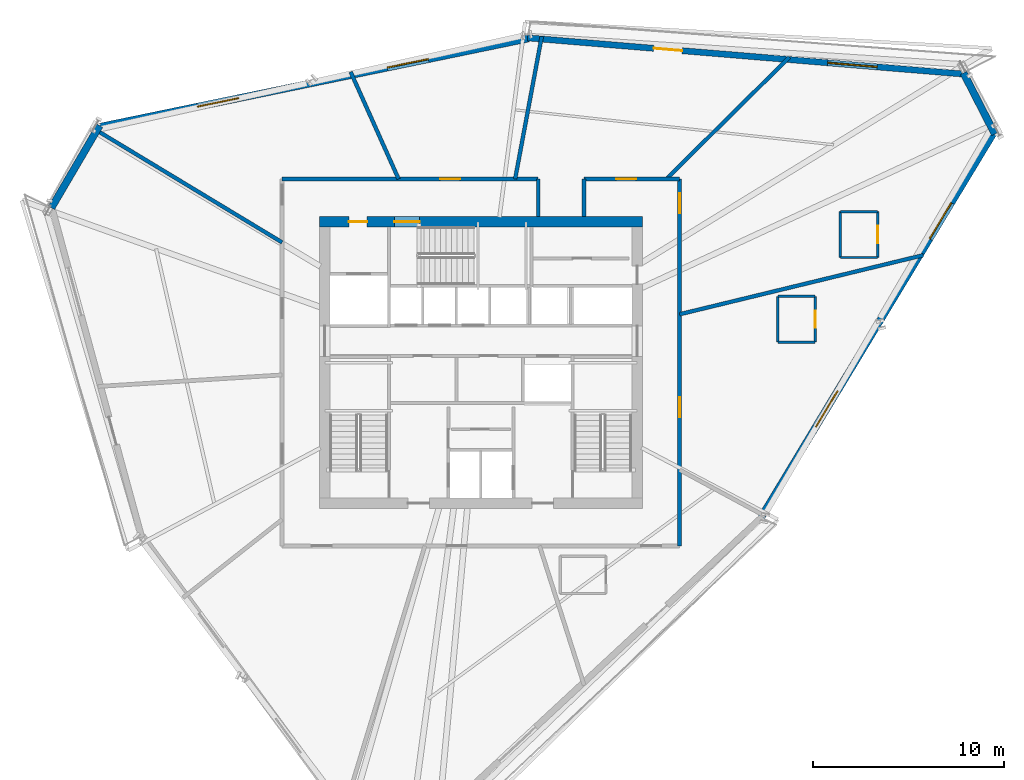
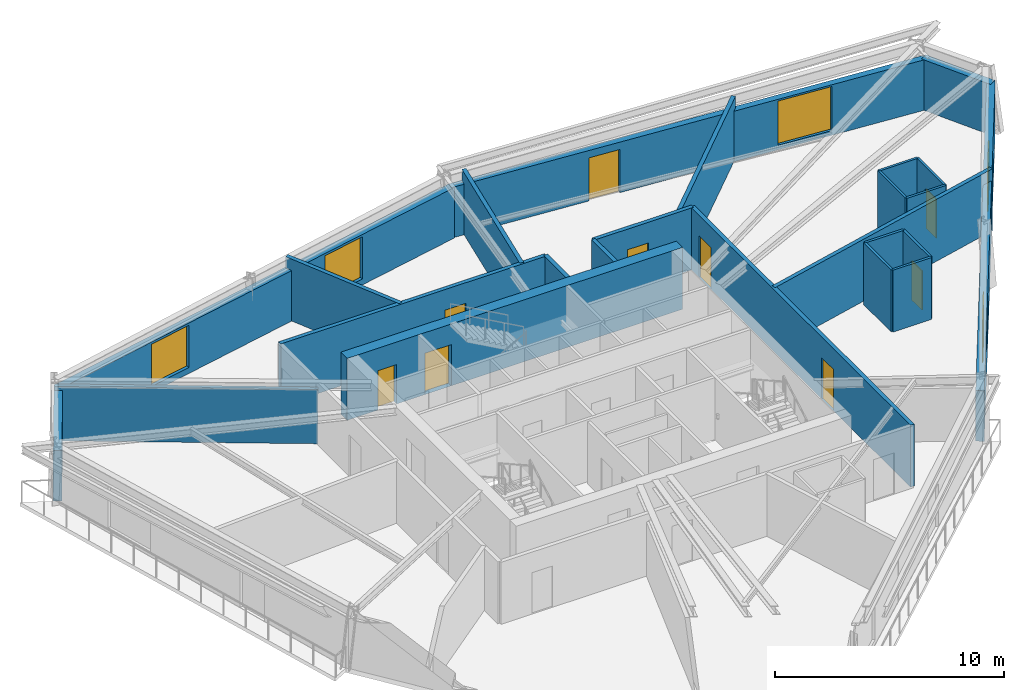
# One storey, part 11 of 15: 24 walls, 9 doors, 5 windows, 14 openings.
"""IFC4 building model written with IfcOpenShell, lengths in metres."""

from ifc_helpers import new_model, si_unit, direction, frame, frame_2d, origin, place, context, subcontext, project, spatial, rectangle, extrude, source, transform, mapped, material, layer, layer_set, type_object, type_shapes, element, fill, save


model = new_model("IFC4")

# Units and contexts
model_context = context("Model", 3, precision=1e-05, world=origin(), true_north=direction((0.0, 1.0)))
body_context = subcontext(model_context, "Body", "Model", "MODEL_VIEW")
ifc_project = project(units=[si_unit("LENGTHUNIT", "METRE"), si_unit("AREAUNIT", "SQUARE_METRE"), si_unit("VOLUMEUNIT", "CUBIC_METRE"), si_unit("PLANEANGLEUNIT", "RADIAN"), si_unit("MASSUNIT", "GRAM", prefix="KILO")], contexts=[model_context])

# Site, building, storey
site_placement = place(None, origin())
site = spatial("IfcSite", under=ifc_project, at=site_placement, CompositionType="ELEMENT")
building_placement = place(site_placement, origin())
building = spatial("IfcBuilding", under=site, at=building_placement, Name="Olszyna Solenne Hotel", CompositionType="ELEMENT")
storey_placement = place(building_placement, frame((0.0, 0.0, 146.60009765625)))
storey = spatial("IfcBuildingStorey", under=building, at=storey_placement, Name="L38", CompositionType="ELEMENT", Elevation=146.60009765625)

# Wall, openings, doors
ifc_material_1 = material(Name="Concrete C50/60", Category="concrete")
ifc_layer_1 = layer(ifc_material_1, 0.550048828125, Name="Concrete C50/60")
ifc_layer_set_1 = layer_set([ifc_layer_1], Name="Concrete C50/60")
wall_type_1 = type_object("IfcWallType", Name="WL-CR550", PredefinedType="SHEAR", material=ifc_layer_set_1)
wall_1_placement = place(storey_placement, frame((29.550048828125, 33.97509765625, 0.0), z_axis=(0.0, 0.0, 1.0), x_axis=(1.0, 0.0, 0.0)))
wall_1 = element("IfcWall", 1, at=wall_1_placement, inside=storey, type_object=wall_type_1, Name="Core shear wall WL-CR550 CRW-L38-N", PredefinedType="SHEAR", context=body_context, shape_type="SweptSolid", body=[
    extrude(rectangle(XDim=16.89990234375, YDim=0.550048828125, at=frame_2d((8.449951171875, 0.0))), origin(), (0.0, 0.0, 1.0), 3.2998046875),
])
opening_1_placement = place(wall_1_placement, frame((1.550048828125, 0.0, 0.0)))
opening_1 = element("IfcOpeningElement", 2, at=opening_1_placement, cuts=wall_1, Name="Opening SVD-L38-01", PredefinedType="OPENING", context=body_context, shape_type="SweptSolid", body=[
    extrude(rectangle(XDim=0.949951171875, YDim=2.10009765625, at=frame_2d((0.47509765625, 1.050048828125))), frame((0.0, 0.28515625, 0.0), z_axis=(0.0, -1.0, 0.0), x_axis=(1.0, 0.0, 0.0)), (0.0, 0.0, 1.0), 0.570068359375),
])
opening_2_placement = place(wall_1_placement, frame((3.929931640625, 0.0, 0.0)))
opening_2 = element("IfcOpeningElement", 3, at=opening_2_placement, cuts=wall_1, Name="Opening STD-L38-03", PredefinedType="OPENING", context=body_context, shape_type="SweptSolid", body=[
    extrude(rectangle(XDim=1.320068359375, YDim=2.199951171875, at=frame_2d((0.66015625, 1.10009765625))), frame((0.0, 0.28515625, 0.0), z_axis=(0.0, -1.0, 0.0), x_axis=(1.0, 0.0, 0.0)), (0.0, 0.0, 1.0), 0.570068359375),
])
ifc_material_2 = material(Name="Steel S355J2", Category="steel")
door_type_1 = type_object("IfcDoorType", Name="DR-ST1", OperationType="NOTDEFINED", PredefinedType="DOOR", material=ifc_material_2)
shared_shape_1 = source(origin(), body_context, "Body", "SweptSolid", [
    extrude(rectangle(XDim=1.320068359375, YDim=2.199951171875, at=frame_2d((0.66015625, 1.10009765625))), frame((0.0, 0.02490234375, 0.0), z_axis=(0.0, -1.0, 0.0), x_axis=(1.0, 0.0, 0.0)), (0.0, 0.0, 1.0), 0.050048828125),
])
type_shapes(door_type_1, [shared_shape_1])
door_1_placement = place(opening_2_placement, origin())
door_1 = element("IfcDoor", 4, at=door_1_placement, inside=storey, type_object=door_type_1, Name="Pressurised exit stair ST3 fire door STD-L38-03", OperationType="SINGLE_SWING_RIGHT", OverallHeight=2.199951171875, OverallWidth=1.320068359375, PredefinedType="DOOR", context=body_context, shape_type="MappedRepresentation", body=[
    mapped(shared_shape_1, transform((0.0, 0.0, 0.0), x_axis=(1.0, 0.0, 0.0), y_axis=(0.0, 1.0, 0.0), z_axis=(0.0, 0.0, 1.0), scale=1.0)),
])
fill(opening_2, door_1)
door_type_2 = type_object("IfcDoorType", Name="DR-SV1", OperationType="NOTDEFINED", PredefinedType="DOOR", material=ifc_material_2)
shared_shape_2 = source(origin(), body_context, "Body", "SweptSolid", [
    extrude(rectangle(XDim=0.949951171875, YDim=2.10009765625, at=frame_2d((0.47509765625, 1.050048828125))), frame((0.0, 0.02490234375, 0.0), z_axis=(0.0, -1.0, 0.0), x_axis=(1.0, 0.0, 0.0)), (0.0, 0.0, 1.0), 0.050048828125),
])
type_shapes(door_type_2, [shared_shape_2])
door_2_placement = place(opening_1_placement, origin())
door_2 = element("IfcDoor", 5, at=door_2_placement, inside=storey, type_object=door_type_2, Name="Service lift lobby fire door SVD-L38-01", OperationType="SINGLE_SWING_LEFT", OverallHeight=2.10009765625, OverallWidth=0.949951171875, PredefinedType="DOOR", context=body_context, shape_type="MappedRepresentation", body=[
    mapped(shared_shape_2, transform((0.0, 0.0, 0.0), x_axis=(1.0, 0.0, 0.0), y_axis=(0.0, 1.0, 0.0), z_axis=(0.0, 0.0, 1.0), scale=1.0)),
])
fill(opening_1, door_2)

# Wall, openings, door, window
ifc_material_3 = material(Name="Precast concrete C45/55", Category="concrete")
ifc_layer_2 = layer(ifc_material_3, 0.320068359375, Name="Precast concrete C45/55")
ifc_layer_set_2 = layer_set([ifc_layer_2], Name="Precast concrete C45/55")
wall_type_2 = type_object("IfcWallType", Name="WL-EX320", PredefinedType="SOLIDWALL", material=ifc_layer_set_2)
wall_2_placement = place(storey_placement, frame((40.443603515625, 43.5849609375, 0.0), z_axis=(0.0, 0.0, 1.0), x_axis=(0.996570046252, -0.08275350695, 0.0)))
wall_2 = element("IfcWall", 6, at=wall_2_placement, inside=storey, type_object=wall_type_2, Name="Exterior terracotta-precast frame wall WL-EX320 EW-L38-08", PredefinedType="SOLIDWALL", context=body_context, shape_type="SweptSolid", body=[
    extrude(rectangle(XDim=23.044189453125, YDim=0.320068359375, at=frame_2d((11.52197265625, 0.0))), origin(), (0.0, 0.0, 1.0), 2.69189453125),
])
opening_3_placement = place(wall_2_placement, frame((6.6240234375, 0.0, 0.0)))
opening_3 = element("IfcOpeningElement", 7, at=opening_3_placement, cuts=wall_2, Name="Opening LDG-L38-1", PredefinedType="OPENING", context=body_context, shape_type="SweptSolid", body=[
    extrude(rectangle(XDim=1.5, YDim=2.300048828125, at=frame_2d((0.75, 1.14990234375))), frame((0.0, 0.169921875, 0.0), z_axis=(0.0, -1.0, 0.0), x_axis=(1.0, 0.0, 0.0)), (0.0, 0.0, 1.0), 0.340087890625),
])
opening_4_placement = place(wall_2_placement, frame((15.7529296875, 0.0, 0.25)))
opening_4 = element("IfcOpeningElement", 8, at=opening_4_placement, cuts=wall_2, Name="Opening WN-L38-231", PredefinedType="OPENING", context=body_context, shape_type="SweptSolid", body=[
    extrude(rectangle(XDim=2.60009765625, YDim=2.35009765625, at=frame_2d((1.300048828125, 1.175048828125))), frame((0.0, 0.169921875, 0.0), z_axis=(0.0, -1.0, 0.0), x_axis=(1.0, 0.0, 0.0)), (0.0, 0.0, 1.0), 0.340087890625),
])
ifc_material_4 = material(Name="Anodised bronze aluminium", Category="aluminium")
door_type_3 = type_object("IfcDoorType", Name="DR-LG2", OperationType="DOUBLE_DOOR_SINGLE_SWING", PredefinedType="DOOR", material=ifc_material_4)
shared_shape_3 = source(origin(), body_context, "Body", "SweptSolid", [
    extrude(rectangle(XDim=1.5, YDim=2.300048828125, at=frame_2d((0.75, 1.14990234375))), frame((0.0, 0.02490234375, 0.0), z_axis=(0.0, -1.0, 0.0), x_axis=(1.0, 0.0, 0.0)), (0.0, 0.0, 1.0), 0.050048828125),
])
type_shapes(door_type_3, [shared_shape_3])
door_3_placement = place(opening_3_placement, origin())
door_3 = element("IfcDoor", 9, at=door_3_placement, inside=storey, type_object=door_type_3, Name="Exterior loggia balcony door DR-LG2 LDG-L38-1", OperationType="DOUBLE_DOOR_SINGLE_SWING", OverallHeight=2.300048828125, OverallWidth=1.5, PredefinedType="DOOR", context=body_context, shape_type="MappedRepresentation", body=[
    mapped(shared_shape_3, transform((0.0, 0.0, 0.0), x_axis=(1.0, 0.0, 0.0), y_axis=(0.0, 1.0, 0.0), z_axis=(0.0, 0.0, 1.0), scale=1.0)),
])
fill(opening_3, door_3)
ifc_material_5 = material(Name="Low-E triple glazing", Category="glass")
window_type_1 = type_object("IfcWindowType", Name="WN-ST1", PartitioningType="SINGLE_PANEL", PredefinedType="WINDOW", material=ifc_material_5)
shared_shape_4 = source(origin(), body_context, "Body", "SweptSolid", [
    extrude(rectangle(XDim=2.60009765625, YDim=2.35009765625, at=frame_2d((1.300048828125, 1.175048828125))), frame((0.0, 0.030029296875, 0.0), z_axis=(0.0, -1.0, 0.0), x_axis=(1.0, 0.0, 0.0)), (0.0, 0.0, 1.0), 0.06005859375),
])
type_shapes(window_type_1, [shared_shape_4])
window_1_placement = place(opening_4_placement, origin())
window_1 = element("IfcWindow", 10, at=window_1_placement, inside=storey, type_object=window_type_1, Name="Loggia room window WN-ST1 WN-L38-231", OverallHeight=2.35009765625, OverallWidth=2.60009765625, PartitioningType="SINGLE_PANEL", PredefinedType="WINDOW", context=body_context, shape_type="MappedRepresentation", body=[
    mapped(shared_shape_4, transform((0.0, 0.0, 0.0), x_axis=(1.0, 0.0, 0.0), y_axis=(0.0, 1.0, 0.0), z_axis=(0.0, 0.0, 1.0), scale=1.0)),
])
fill(opening_4, window_1)

# Wall
ifc_material_6 = material(Name="Terracotta cladding on precast concrete C45/55", Category="masonry")
ifc_layer_3 = layer(ifc_material_6, 0.3798828125, Name="Terracotta cladding on precast concrete C45/55")
ifc_layer_set_3 = layer_set([ifc_layer_3], Name="Terracotta cladding on precast concrete C45/55")
wall_type_3 = type_object("IfcWallType", Name="WL-EX380", PredefinedType="SOLIDWALL", material=ifc_layer_set_3)
wall_3_placement = place(storey_placement, frame((15.529052734375, 34.693115234375, 0.0), z_axis=(0.0, 0.0, 1.0), x_axis=(0.505994696014, 0.86253658914, 0.0)))
element("IfcWall", 11, at=wall_3_placement, inside=storey, type_object=wall_type_3, Name="Exterior terracotta-precast frame wall WL-EX380 EW-L38-06", PredefinedType="SOLIDWALL", context=body_context, shape_type="SweptSolid", body=[
    extrude(rectangle(XDim=4.985595703125, YDim=0.3798828125, at=frame_2d((2.49267578125, 0.0))), origin(), (0.0, 0.0, 1.0), 2.69189453125),
])

# Wall, openings, windows
wall_4_placement = place(storey_placement, frame((17.92626953125, 38.9033203125, 0.0), z_axis=(0.0, 0.0, 1.0), x_axis=(0.979384542026, 0.202004749552, 0.0)))
wall_4 = element("IfcWall", 12, at=wall_4_placement, inside=storey, type_object=wall_type_3, Name="Exterior terracotta-precast frame wall WL-EX380 EW-L38-07", PredefinedType="SOLIDWALL", context=body_context, shape_type="SweptSolid", body=[
    extrude(rectangle(XDim=23.044189453125, YDim=0.3798828125, at=frame_2d((11.52197265625, 0.0))), origin(), (0.0, 0.0, 1.0), 2.69189453125),
])
opening_5_placement = place(wall_4_placement, frame((5.35205078125, 0.0, 0.322021484375)))
opening_5 = element("IfcOpeningElement", 13, at=opening_5_placement, cuts=wall_4, Name="Opening WN-L38-229", PredefinedType="OPENING", context=body_context, shape_type="SweptSolid", body=[
    extrude(rectangle(XDim=2.199951171875, YDim=2.25, at=frame_2d((1.10009765625, 1.125))), frame((0.0, 0.199951171875, 0.0), z_axis=(0.0, -1.0, 0.0), x_axis=(1.0, 0.0, 0.0)), (0.0, 0.0, 1.0), 0.39990234375),
])
opening_6_placement = place(wall_4_placement, frame((15.491943359375, 0.0, 0.322021484375)))
opening_6 = element("IfcOpeningElement", 14, at=opening_6_placement, cuts=wall_4, Name="Opening WN-L38-230", PredefinedType="OPENING", context=body_context, shape_type="SweptSolid", body=[
    extrude(rectangle(XDim=2.199951171875, YDim=2.25, at=frame_2d((1.10009765625, 1.125))), frame((0.0, 0.199951171875, 0.0), z_axis=(0.0, -1.0, 0.0), x_axis=(1.0, 0.0, 0.0)), (0.0, 0.0, 1.0), 0.39990234375),
])
window_type_2 = type_object("IfcWindowType", Name="WN-HT2", PartitioningType="SINGLE_PANEL", PredefinedType="WINDOW", material=ifc_material_5)
shared_shape_5 = source(origin(), body_context, "Body", "SweptSolid", [
    extrude(rectangle(XDim=2.199951171875, YDim=2.25, at=frame_2d((1.10009765625, 1.125))), frame((0.0, 0.030029296875, 0.0), z_axis=(0.0, -1.0, 0.0), x_axis=(1.0, 0.0, 0.0)), (0.0, 0.0, 1.0), 0.06005859375),
])
type_shapes(window_type_2, [shared_shape_5])
window_2_placement = place(opening_5_placement, origin())
window_2 = element("IfcWindow", 15, at=window_2_placement, inside=storey, type_object=window_type_2, Name="Exterior facade window WN-HT2 WN-L38-229", OverallHeight=2.25, OverallWidth=2.199951171875, PartitioningType="SINGLE_PANEL", PredefinedType="WINDOW", context=body_context, shape_type="MappedRepresentation", body=[
    mapped(shared_shape_5, transform((0.0, 0.0, 0.0), x_axis=(1.0, 0.0, 0.0), y_axis=(0.0, 1.0, 0.0), z_axis=(0.0, 0.0, 1.0), scale=1.0)),
])
fill(opening_5, window_2)
window_3_placement = place(opening_6_placement, origin())
window_3 = element("IfcWindow", 16, at=window_3_placement, inside=storey, type_object=window_type_2, Name="Exterior facade window WN-HT2 WN-L38-230", OverallHeight=2.25, OverallWidth=2.199951171875, PartitioningType="SINGLE_PANEL", PredefinedType="WINDOW", context=body_context, shape_type="MappedRepresentation", body=[
    mapped(shared_shape_5, transform((0.0, 0.0, 0.0), x_axis=(1.0, 0.0, 0.0), y_axis=(0.0, 1.0, 0.0), z_axis=(0.0, 0.0, 1.0), scale=1.0)),
])
fill(opening_6, window_3)

# Wall
wall_5_placement = place(storey_placement, frame((63.252685546875, 41.750732421875, 0.0), z_axis=(0.0, 0.0, 1.0), x_axis=(0.456338692797, -0.889806157237, 0.0)))
element("IfcWall", 17, at=wall_5_placement, inside=storey, type_object=wall_type_3, Name="Exterior terracotta-precast frame wall WL-EX380 EW-L38-09", PredefinedType="SOLIDWALL", context=body_context, shape_type="SweptSolid", body=[
    extrude(rectangle(XDim=3.597412109375, YDim=0.3798828125, at=frame_2d((1.798828125, 0.0))), origin(), (0.0, 0.0, 1.0), 2.69189453125),
])

# Wall, openings, windows
wall_6_placement = place(storey_placement, frame((64.90087890625, 38.73486328125, 0.0), z_axis=(0.0, 0.0, 1.0), x_axis=(-0.517346318523, -0.855776131188, 0.0)))
wall_6 = element("IfcWall", 18, at=wall_6_placement, inside=storey, type_object=wall_type_3, Name="Exterior terracotta-precast frame wall WL-EX380 EW-L38-10", PredefinedType="SOLIDWALL", context=body_context, shape_type="SweptSolid", body=[
    extrude(rectangle(XDim=23.6298828125, YDim=0.3798828125, at=frame_2d((11.81494140625, 0.0))), origin(), (0.0, 0.0, 1.0), 2.69189453125),
])
opening_7_placement = place(wall_6_placement, frame((4.416015625, 0.0, 0.322021484375)))
opening_7 = element("IfcOpeningElement", 19, at=opening_7_placement, cuts=wall_6, Name="Opening WN-L38-232", PredefinedType="OPENING", context=body_context, shape_type="SweptSolid", body=[
    extrude(rectangle(XDim=2.199951171875, YDim=2.25, at=frame_2d((1.10009765625, 1.125))), frame((0.0, 0.199951171875, 0.0), z_axis=(0.0, -1.0, 0.0), x_axis=(1.0, 0.0, 0.0)), (0.0, 0.0, 1.0), 0.39990234375),
])
opening_8_placement = place(wall_6_placement, frame((15.9140625, 0.0, 0.322021484375)))
opening_8 = element("IfcOpeningElement", 20, at=opening_8_placement, cuts=wall_6, Name="Opening WN-L38-233", PredefinedType="OPENING", context=body_context, shape_type="SweptSolid", body=[
    extrude(rectangle(XDim=2.199951171875, YDim=2.25, at=frame_2d((1.10009765625, 1.125))), frame((0.0, 0.199951171875, 0.0), z_axis=(0.0, -1.0, 0.0), x_axis=(1.0, 0.0, 0.0)), (0.0, 0.0, 1.0), 0.39990234375),
])
window_4_placement = place(opening_7_placement, origin())
window_4 = element("IfcWindow", 21, at=window_4_placement, inside=storey, type_object=window_type_2, Name="Exterior facade window WN-HT2 WN-L38-232", OverallHeight=2.25, OverallWidth=2.199951171875, PartitioningType="SINGLE_PANEL", PredefinedType="WINDOW", context=body_context, shape_type="MappedRepresentation", body=[
    mapped(shared_shape_5, transform((0.0, 0.0, 0.0), x_axis=(1.0, 0.0, 0.0), y_axis=(0.0, 1.0, 0.0), z_axis=(0.0, 0.0, 1.0), scale=1.0)),
])
fill(opening_7, window_4)
window_5_placement = place(opening_8_placement, origin())
window_5 = element("IfcWindow", 22, at=window_5_placement, inside=storey, type_object=window_type_2, Name="Exterior facade window WN-HT2 WN-L38-233", OverallHeight=2.25, OverallWidth=2.199951171875, PartitioningType="SINGLE_PANEL", PredefinedType="WINDOW", context=body_context, shape_type="MappedRepresentation", body=[
    mapped(shared_shape_5, transform((0.0, 0.0, 0.0), x_axis=(1.0, 0.0, 0.0), y_axis=(0.0, 1.0, 0.0), z_axis=(0.0, 0.0, 1.0), scale=1.0)),
])
fill(opening_8, window_5)

# Wall, opening, door
ifc_material_7 = material(Name="Acoustic gypsum partition", Category="gypsum")
ifc_layer_4 = layer(ifc_material_7, 0.125, Name="Acoustic gypsum partition")
ifc_layer_set_4 = layer_set([ifc_layer_4], Name="Acoustic gypsum partition")
wall_type_4 = type_object("IfcWallType", Name="WL-PT125", PredefinedType="PARTITIONING", material=ifc_layer_set_4)
wall_7_placement = place(storey_placement, frame((55.487060546875, 27.658935546875, 0.0), z_axis=(0.0, 0.0, 1.0), x_axis=(0.0, 1.0, 0.0)))
wall_7 = element("IfcWall", 23, at=wall_7_placement, inside=storey, type_object=wall_type_4, Name="Interior acoustic partition WL-PT125 PW-L38-2167", PredefinedType="PARTITIONING", context=body_context, shape_type="SweptSolid", body=[
    extrude(rectangle(XDim=2.400146484375, YDim=0.125, at=frame_2d((1.2001953125, 0.0))), origin(), (0.0, 0.0, 1.0), 3.2998046875),
])
opening_9_placement = place(wall_7_placement, frame((0.75, 0.0, 0.0)))
opening_9 = element("IfcOpeningElement", 24, at=opening_9_placement, cuts=wall_7, Name="Opening DR-L38-0523", PredefinedType="OPENING", context=body_context, shape_type="SweptSolid", body=[
    extrude(rectangle(XDim=0.89990234375, YDim=2.10009765625, at=frame_2d((0.449951171875, 1.050048828125))), frame((0.0, 0.072509765625, 0.0), z_axis=(0.0, -1.0, 0.0), x_axis=(1.0, 0.0, 0.0)), (0.0, 0.0, 1.0), 0.14501953125),
])
ifc_material_8 = material(Name="Timber hardwood", Category="wood")
door_type_4 = type_object("IfcDoorType", Name="DR-WC1", OperationType="NOTDEFINED", PredefinedType="DOOR", material=ifc_material_8)
shared_shape_6 = source(origin(), body_context, "Body", "SweptSolid", [
    extrude(rectangle(XDim=0.89990234375, YDim=2.10009765625, at=frame_2d((0.449951171875, 1.050048828125))), frame((0.0, 0.02490234375, 0.0), z_axis=(0.0, -1.0, 0.0), x_axis=(1.0, 0.0, 0.0)), (0.0, 0.0, 1.0), 0.050048828125),
])
type_shapes(door_type_4, [shared_shape_6])
door_4_placement = place(opening_9_placement, origin())
door_4 = element("IfcDoor", 25, at=door_4_placement, inside=storey, type_object=door_type_4, Name="En-Suite Bathroom Door DR-L38-0523", OperationType="SINGLE_SWING_LEFT", OverallHeight=2.10009765625, OverallWidth=0.89990234375, PredefinedType="DOOR", context=body_context, shape_type="MappedRepresentation", body=[
    mapped(shared_shape_6, transform((0.0, 0.0, 0.0), x_axis=(1.0, 0.0, 0.0), y_axis=(0.0, 1.0, 0.0), z_axis=(0.0, 0.0, 1.0), scale=1.0)),
])
fill(opening_9, door_4)

# Walls
wall_8_placement = place(storey_placement, frame((55.487060546875, 30.05908203125, 0.0), z_axis=(0.0, 0.0, 1.0), x_axis=(-1.0, 0.0, 0.0)))
element("IfcWall", 26, at=wall_8_placement, inside=storey, type_object=wall_type_4, Name="Interior acoustic partition WL-PT125 PW-L38-2168", PredefinedType="PARTITIONING", context=body_context, shape_type="SweptSolid", body=[
    extrude(rectangle(XDim=1.949951171875, YDim=0.125, at=frame_2d((0.97509765625, 0.0))), origin(), (0.0, 0.0, 1.0), 3.2998046875),
])
wall_9_placement = place(storey_placement, frame((53.537109375, 30.05908203125, 0.0), z_axis=(0.0, 0.0, 1.0), x_axis=(0.0, -1.0, 0.0)))
element("IfcWall", 27, at=wall_9_placement, inside=storey, type_object=wall_type_4, Name="Interior acoustic partition WL-PT125 PW-L38-2169", PredefinedType="PARTITIONING", context=body_context, shape_type="SweptSolid", body=[
    extrude(rectangle(XDim=2.400146484375, YDim=0.125, at=frame_2d((1.2001953125, 0.0))), origin(), (0.0, 0.0, 1.0), 3.2998046875),
])
wall_10_placement = place(storey_placement, frame((53.537109375, 27.658935546875, 0.0), z_axis=(0.0, 0.0, 1.0), x_axis=(1.0, 0.0, 0.0)))
element("IfcWall", 28, at=wall_10_placement, inside=storey, type_object=wall_type_4, Name="Interior acoustic partition WL-PT125 PW-L38-2170", PredefinedType="PARTITIONING", context=body_context, shape_type="SweptSolid", body=[
    extrude(rectangle(XDim=1.949951171875, YDim=0.125, at=frame_2d((0.97509765625, 0.0))), origin(), (0.0, 0.0, 1.0), 3.2998046875),
])

# Wall, opening, door
wall_11_placement = place(storey_placement, frame((58.760986328125, 32.092041015625, 0.0), z_axis=(0.0, 0.0, 1.0), x_axis=(0.0, 1.0, 0.0)))
wall_11 = element("IfcWall", 29, at=wall_11_placement, inside=storey, type_object=wall_type_4, Name="Interior acoustic partition WL-PT125 PW-L38-2171", PredefinedType="PARTITIONING", context=body_context, shape_type="SweptSolid", body=[
    extrude(rectangle(XDim=2.39990234375, YDim=0.125, at=frame_2d((1.199951171875, 0.0))), origin(), (0.0, 0.0, 1.0), 3.2998046875),
])
opening_10_placement = place(wall_11_placement, frame((0.75, 0.0, 0.0)))
opening_10 = element("IfcOpeningElement", 30, at=opening_10_placement, cuts=wall_11, Name="Opening DR-L38-0524", PredefinedType="OPENING", context=body_context, shape_type="SweptSolid", body=[
    extrude(rectangle(XDim=0.89990234375, YDim=2.10009765625, at=frame_2d((0.449951171875, 1.050048828125))), frame((0.0, 0.072509765625, 0.0), z_axis=(0.0, -1.0, 0.0), x_axis=(1.0, 0.0, 0.0)), (0.0, 0.0, 1.0), 0.14501953125),
])
door_5_placement = place(opening_10_placement, origin())
door_5 = element("IfcDoor", 31, at=door_5_placement, inside=storey, type_object=door_type_4, Name="En-Suite Bathroom Door DR-L38-0524", OperationType="SINGLE_SWING_LEFT", OverallHeight=2.10009765625, OverallWidth=0.89990234375, PredefinedType="DOOR", context=body_context, shape_type="MappedRepresentation", body=[
    mapped(shared_shape_6, transform((0.0, 0.0, 0.0), x_axis=(1.0, 0.0, 0.0), y_axis=(0.0, 1.0, 0.0), z_axis=(0.0, 0.0, 1.0), scale=1.0)),
])
fill(opening_10, door_5)

# Walls
wall_12_placement = place(storey_placement, frame((58.760986328125, 34.491943359375, 0.0), z_axis=(0.0, 0.0, 1.0), x_axis=(-1.0, 0.0, 0.0)))
element("IfcWall", 32, at=wall_12_placement, inside=storey, type_object=wall_type_4, Name="Interior acoustic partition WL-PT125 PW-L38-2172", PredefinedType="PARTITIONING", context=body_context, shape_type="SweptSolid", body=[
    extrude(rectangle(XDim=1.949951171875, YDim=0.125, at=frame_2d((0.97509765625, 0.0))), origin(), (0.0, 0.0, 1.0), 3.2998046875),
])
wall_13_placement = place(storey_placement, frame((56.81103515625, 34.491943359375, 0.0), z_axis=(0.0, 0.0, 1.0), x_axis=(0.0, -1.0, 0.0)))
element("IfcWall", 33, at=wall_13_placement, inside=storey, type_object=wall_type_4, Name="Interior acoustic partition WL-PT125 PW-L38-2173", PredefinedType="PARTITIONING", context=body_context, shape_type="SweptSolid", body=[
    extrude(rectangle(XDim=2.39990234375, YDim=0.125, at=frame_2d((1.199951171875, 0.0))), origin(), (0.0, 0.0, 1.0), 3.2998046875),
])
wall_14_placement = place(storey_placement, frame((56.81103515625, 32.092041015625, 0.0), z_axis=(0.0, 0.0, 1.0), x_axis=(1.0, 0.0, 0.0)))
element("IfcWall", 34, at=wall_14_placement, inside=storey, type_object=wall_type_4, Name="Interior acoustic partition WL-PT125 PW-L38-2174", PredefinedType="PARTITIONING", context=body_context, shape_type="SweptSolid", body=[
    extrude(rectangle(XDim=1.949951171875, YDim=0.125, at=frame_2d((0.97509765625, 0.0))), origin(), (0.0, 0.0, 1.0), 3.2998046875),
])
ifc_layer_5 = layer(ifc_material_7, 0.199951171875, Name="Acoustic gypsum partition")
ifc_layer_set_5 = layer_set([ifc_layer_5], Name="Acoustic gypsum partition")
wall_type_5 = type_object("IfcWallType", Name="WL-PT200", PredefinedType="PARTITIONING", material=ifc_layer_set_5)
wall_15_placement = place(storey_placement, frame((47.701171875, 36.199951171875, 0.0), z_axis=(0.0, 0.0, 1.0), x_axis=(0.710799449418, 0.703394727523, 0.0)))
element("IfcWall", 35, at=wall_15_placement, inside=storey, type_object=wall_type_5, Name="Interior acoustic partition WL-PT200 PW-L38-2153", PredefinedType="PARTITIONING", context=body_context, shape_type="SweptSolid", body=[
    extrude(rectangle(XDim=9.06689453125, YDim=0.199951171875, at=frame_2d((4.533447265625, 0.0))), origin(), (0.0, 0.0, 1.0), 3.2998046875),
])
wall_16_placement = place(storey_placement, frame((39.79296875, 36.199951171875, 0.0), z_axis=(0.0, 0.0, 1.0), x_axis=(0.183586717178, 0.983003518445, 0.0)))
element("IfcWall", 36, at=wall_16_placement, inside=storey, type_object=wall_type_5, Name="Interior acoustic partition WL-PT200 PW-L38-2154", PredefinedType="PARTITIONING", context=body_context, shape_type="SweptSolid", body=[
    extrude(rectangle(XDim=7.582763671875, YDim=0.199951171875, at=frame_2d((3.79150390625, 0.0))), origin(), (0.0, 0.0, 1.0), 3.2998046875),
])
wall_17_placement = place(storey_placement, frame((33.697265625, 36.199951171875, 0.0), z_axis=(0.0, 0.0, 1.0), x_axis=(-0.408999948969, 0.912534405786, 0.0)))
element("IfcWall", 37, at=wall_17_placement, inside=storey, type_object=wall_type_5, Name="Interior acoustic partition WL-PT200 PW-L38-2155", PredefinedType="PARTITIONING", context=body_context, shape_type="SweptSolid", body=[
    extrude(rectangle(XDim=6.138671875, YDim=0.199951171875, at=frame_2d((3.0693359375, 0.0))), origin(), (0.0, 0.0, 1.0), 3.2998046875),
])
wall_18_placement = place(storey_placement, frame((27.60009765625, 32.883056640625, 0.0), z_axis=(0.0, 0.0, 1.0), x_axis=(-0.855940231104, 0.517074772909, 0.0)))
element("IfcWall", 38, at=wall_18_placement, inside=storey, type_object=wall_type_5, Name="Interior acoustic partition WL-PT200 PW-L38-2156", PredefinedType="PARTITIONING", context=body_context, shape_type="SweptSolid", body=[
    extrude(rectangle(XDim=11.488525390625, YDim=0.199951171875, at=frame_2d((5.744140625, 0.0))), origin(), (0.0, 0.0, 1.0), 2.89501953125),
])
wall_19_placement = place(storey_placement, frame((48.39990234375, 29.12255859375, 0.0), z_axis=(0.0, 0.0, 1.0), x_axis=(0.971821296389, 0.235718832267, 0.0)))
element("IfcWall", 39, at=wall_19_placement, inside=storey, type_object=wall_type_5, Name="Interior acoustic partition WL-PT200 PW-L38-2162", PredefinedType="PARTITIONING", context=body_context, shape_type="SweptSolid", body=[
    extrude(rectangle(XDim=13.115478515625, YDim=0.199951171875, at=frame_2d((6.5576171875, 0.0))), origin(), (0.0, 0.0, 1.0), 3.2998046875),
])

# Wall, opening, door
wall_20_placement = place(storey_placement, frame((27.60009765625, 36.199951171875, 0.0), z_axis=(0.0, 0.0, 1.0), x_axis=(1.0, 0.0, 0.0)))
wall_20 = element("IfcWall", 40, at=wall_20_placement, inside=storey, type_object=wall_type_5, Name="Interior acoustic partition WL-PT200 PW-L38-2177", PredefinedType="PARTITIONING", context=body_context, shape_type="SweptSolid", body=[
    extrude(rectangle(XDim=13.39990234375, YDim=0.199951171875, at=frame_2d((6.699951171875, 0.0))), origin(), (0.0, 0.0, 1.0), 3.2998046875),
])
opening_11_placement = place(wall_20_placement, frame((8.26611328125, 0.0, 0.0)))
opening_11 = element("IfcOpeningElement", 41, at=opening_11_placement, cuts=wall_20, Name="Opening DR-L38-0531", PredefinedType="OPENING", context=body_context, shape_type="SweptSolid", body=[
    extrude(rectangle(XDim=1.050048828125, YDim=2.199951171875, at=frame_2d((0.52490234375, 1.10009765625))), frame((0.0, 0.10986328125, 0.0), z_axis=(0.0, -1.0, 0.0), x_axis=(1.0, 0.0, 0.0)), (0.0, 0.0, 1.0), 0.219970703125),
])
door_type_5 = type_object("IfcDoorType", Name="DR-RM2", OperationType="NOTDEFINED", PredefinedType="DOOR", material=ifc_material_8)
shared_shape_7 = source(origin(), body_context, "Body", "SweptSolid", [
    extrude(rectangle(XDim=1.050048828125, YDim=2.199951171875, at=frame_2d((0.52490234375, 1.10009765625))), frame((0.0, 0.02490234375, 0.0), z_axis=(0.0, -1.0, 0.0), x_axis=(1.0, 0.0, 0.0)), (0.0, 0.0, 1.0), 0.050048828125),
])
type_shapes(door_type_5, [shared_shape_7])
door_6_placement = place(opening_11_placement, origin())
door_6 = element("IfcDoor", 42, at=door_6_placement, inside=storey, type_object=door_type_5, Name="Private Business Office Entrance Door DR-L38-0531", OperationType="SINGLE_SWING_RIGHT", OverallHeight=2.199951171875, OverallWidth=1.050048828125, PredefinedType="DOOR", context=body_context, shape_type="MappedRepresentation", body=[
    mapped(shared_shape_7, transform((0.0, 0.0, 0.0), x_axis=(1.0, 0.0, 0.0), y_axis=(0.0, 1.0, 0.0), z_axis=(0.0, 0.0, 1.0), scale=1.0)),
])
fill(opening_11, door_6)

# Wall
wall_21_placement = place(storey_placement, frame((41.0, 34.25, 0.0), z_axis=(0.0, 0.0, 1.0), x_axis=(0.0, 1.0, 0.0)))
element("IfcWall", 43, at=wall_21_placement, inside=storey, type_object=wall_type_5, Name="Interior acoustic partition WL-PT200 PW-L38-2178", PredefinedType="PARTITIONING", context=body_context, shape_type="SweptSolid", body=[
    extrude(rectangle(XDim=1.949951171875, YDim=0.199951171875, at=frame_2d((0.97509765625, 0.0))), origin(), (0.0, 0.0, 1.0), 3.2998046875),
])

# Wall, opening, door
wall_22_placement = place(storey_placement, frame((43.39990234375, 36.199951171875, 0.0), z_axis=(0.0, 0.0, 1.0), x_axis=(1.0, 0.0, 0.0)))
wall_22 = element("IfcWall", 44, at=wall_22_placement, inside=storey, type_object=wall_type_5, Name="Interior acoustic partition WL-PT200 PW-L38-2179", PredefinedType="PARTITIONING", context=body_context, shape_type="SweptSolid", body=[
    extrude(rectangle(XDim=5.0, YDim=0.199951171875, at=frame_2d((2.5, 0.0))), origin(), (0.0, 0.0, 1.0), 3.2998046875),
])
opening_12_placement = place(wall_22_placement, frame((1.675048828125, 0.0, 0.0)))
opening_12 = element("IfcOpeningElement", 45, at=opening_12_placement, cuts=wall_22, Name="Opening DR-L38-0532", PredefinedType="OPENING", context=body_context, shape_type="SweptSolid", body=[
    extrude(rectangle(XDim=1.050048828125, YDim=2.199951171875, at=frame_2d((0.52490234375, 1.10009765625))), frame((0.0, 0.10986328125, 0.0), z_axis=(0.0, -1.0, 0.0), x_axis=(1.0, 0.0, 0.0)), (0.0, 0.0, 1.0), 0.219970703125),
])
door_7_placement = place(opening_12_placement, origin())
door_7 = element("IfcDoor", 46, at=door_7_placement, inside=storey, type_object=door_type_5, Name="Private Business Office Entrance Door DR-L38-0532", OperationType="SINGLE_SWING_LEFT", OverallHeight=2.199951171875, OverallWidth=1.050048828125, PredefinedType="DOOR", context=body_context, shape_type="MappedRepresentation", body=[
    mapped(shared_shape_7, transform((0.0, 0.0, 0.0), x_axis=(1.0, 0.0, 0.0), y_axis=(0.0, 1.0, 0.0), z_axis=(0.0, 0.0, 1.0), scale=1.0)),
])
fill(opening_12, door_7)

# Wall
wall_23_placement = place(storey_placement, frame((43.39990234375, 34.25, 0.0), z_axis=(0.0, 0.0, 1.0), x_axis=(0.0, 1.0, 0.0)))
element("IfcWall", 47, at=wall_23_placement, inside=storey, type_object=wall_type_5, Name="Interior acoustic partition WL-PT200 PW-L38-2180", PredefinedType="PARTITIONING", context=body_context, shape_type="SweptSolid", body=[
    extrude(rectangle(XDim=1.949951171875, YDim=0.199951171875, at=frame_2d((0.97509765625, 0.0))), origin(), (0.0, 0.0, 1.0), 3.2998046875),
])

# Wall, openings, doors
wall_24_placement = place(storey_placement, frame((48.39990234375, 17.0, 0.0), z_axis=(0.0, 0.0, 1.0), x_axis=(0.0, 1.0, 0.0)))
wall_24 = element("IfcWall", 48, at=wall_24_placement, inside=storey, type_object=wall_type_5, Name="Interior acoustic partition WL-PT200 PW-L38-2181", PredefinedType="PARTITIONING", context=body_context, shape_type="SweptSolid", body=[
    extrude(rectangle(XDim=19.199951171875, YDim=0.199951171875, at=frame_2d((9.60009765625, 0.0))), origin(), (0.0, 0.0, 1.0), 3.2998046875),
])
opening_13_placement = place(wall_24_placement, frame((6.72607421875, 0.0, 0.0)))
opening_13 = element("IfcOpeningElement", 49, at=opening_13_placement, cuts=wall_24, Name="Opening DR-L38-0533", PredefinedType="OPENING", context=body_context, shape_type="SweptSolid", body=[
    extrude(rectangle(XDim=1.050048828125, YDim=2.199951171875, at=frame_2d((0.52490234375, 1.10009765625))), frame((0.0, 0.10986328125, 0.0), z_axis=(0.0, -1.0, 0.0), x_axis=(1.0, 0.0, 0.0)), (0.0, 0.0, 1.0), 0.219970703125),
])
opening_14_placement = place(wall_24_placement, frame((17.39990234375, 0.0, 0.0)))
opening_14 = element("IfcOpeningElement", 50, at=opening_14_placement, cuts=wall_24, Name="Opening DR-L38-0534", PredefinedType="OPENING", context=body_context, shape_type="SweptSolid", body=[
    extrude(rectangle(XDim=1.050048828125, YDim=2.199951171875, at=frame_2d((0.52490234375, 1.10009765625))), frame((0.0, 0.10986328125, 0.0), z_axis=(0.0, -1.0, 0.0), x_axis=(1.0, 0.0, 0.0)), (0.0, 0.0, 1.0), 0.219970703125),
])
door_8_placement = place(opening_13_placement, origin())
door_8 = element("IfcDoor", 51, at=door_8_placement, inside=storey, type_object=door_type_5, Name="Deluxe Hotel Guestroom Entrance Door DR-L38-0533", OperationType="SINGLE_SWING_LEFT", OverallHeight=2.199951171875, OverallWidth=1.050048828125, PredefinedType="DOOR", context=body_context, shape_type="MappedRepresentation", body=[
    mapped(shared_shape_7, transform((0.0, 0.0, 0.0), x_axis=(1.0, 0.0, 0.0), y_axis=(0.0, 1.0, 0.0), z_axis=(0.0, 0.0, 1.0), scale=1.0)),
])
fill(opening_13, door_8)
door_9_placement = place(opening_14_placement, origin())
door_9 = element("IfcDoor", 52, at=door_9_placement, inside=storey, type_object=door_type_5, Name="Executive Reading Salon Entrance Door DR-L38-0534", OperationType="SINGLE_SWING_RIGHT", OverallHeight=2.199951171875, OverallWidth=1.050048828125, PredefinedType="DOOR", context=body_context, shape_type="MappedRepresentation", body=[
    mapped(shared_shape_7, transform((0.0, 0.0, 0.0), x_axis=(1.0, 0.0, 0.0), y_axis=(0.0, 1.0, 0.0), z_axis=(0.0, 0.0, 1.0), scale=1.0)),
])
fill(opening_14, door_9)

save(model, "model.ifc")
